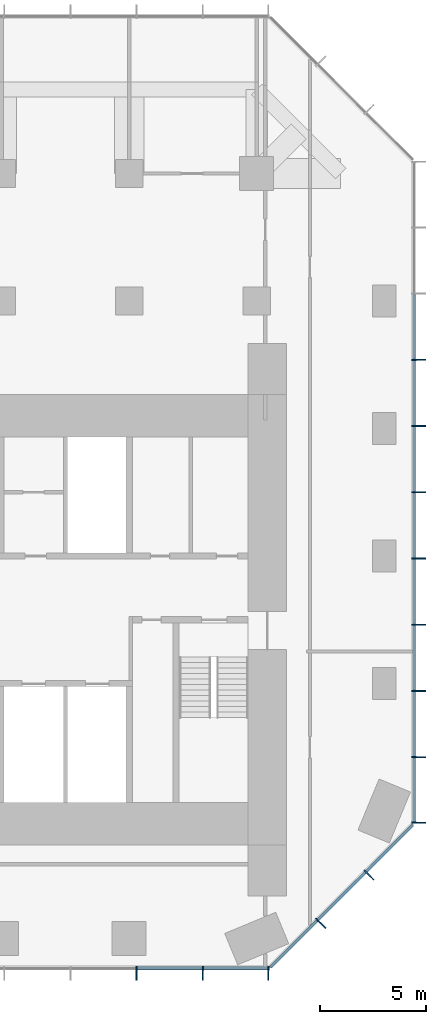
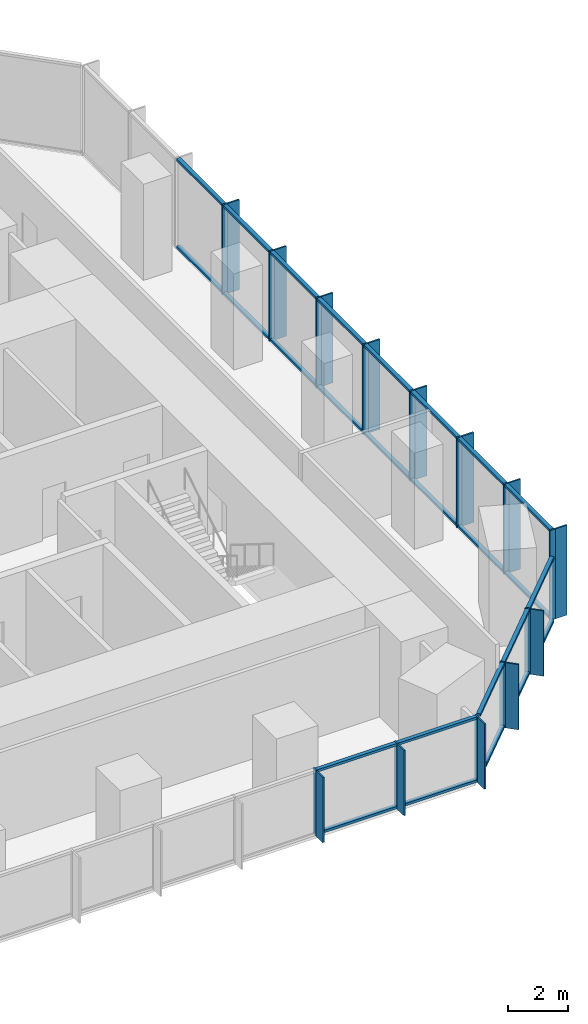
# One storey, part 4 of 11: 52 members, 3 elements without a shape of their own.
"""IFC4 building model written with IfcOpenShell, lengths in metres."""

from ifc_helpers import new_model, si_unit, direction, frame, origin, origin_2d, place, context, subcontext, project, spatial, rectangle, extrude, material, layer, layer_set, material_profile, profile_set, type_object, element, aggregate, save


model = new_model("IFC4")

# Units and contexts
model_context = context("Model", 3, precision=1e-05, world=origin(), true_north=direction((0.0, 1.0)))
body_context = subcontext(model_context, "Body", "Model", "MODEL_VIEW")
ifc_project = project(units=[si_unit("LENGTHUNIT", "METRE"), si_unit("AREAUNIT", "SQUARE_METRE"), si_unit("VOLUMEUNIT", "CUBIC_METRE"), si_unit("PLANEANGLEUNIT", "RADIAN"), si_unit("MASSUNIT", "GRAM", prefix="KILO")], contexts=[model_context])

# Site, building, storey
site_placement = place(None, origin())
site = spatial("IfcSite", under=ifc_project, at=site_placement, CompositionType="ELEMENT")
building_placement = place(site_placement, origin())
building = spatial("IfcBuilding", under=site, at=building_placement, Name="Highveld Stack Headquarters", CompositionType="ELEMENT")
storey_placement = place(building_placement, frame((0.0, 0.0, 208.39990234375)))
storey = spatial("IfcBuildingStorey", under=building, at=storey_placement, Name="L51", CompositionType="ELEMENT", Elevation=208.39990234375)

# Curtain wall, members
ifc_material_1 = material(Name="Aluminium bronze anodised", Category="aluminium")
ifc_layer_1 = layer(ifc_material_1, 0.199951171875)
ifc_layer_set_1 = layer_set([ifc_layer_1], Name="Aluminium bronze anodised")
curtain_wall_type_1 = type_object("IfcCurtainWallType", Name="CW1 TOWER UNITISED CURTAIN WALL", PredefinedType="NOTDEFINED", material=ifc_layer_set_1)
curtain_wall_1_placement = place(storey_placement, origin())
curtain_wall_1 = element("IfcCurtainWall", 1, at=curtain_wall_1_placement, inside=storey, type_object=curtain_wall_type_1, Name="Curtain wall CW1 L51 S", PredefinedType="NOTDEFINED")
ifc_material_2 = material(Name="Aluminium bronze anodised", Category="aluminium")
ifc_material_profile_1 = material_profile(ifc_material_2, rectangle(XDim=0.449951171875, YDim=0.06005859375, at=origin_2d()), Name="FIN 450x60")
ifc_profile_set_1 = profile_set([ifc_material_profile_1], Name="Aluminium bronze anodised")
member_type_1 = type_object("IfcMemberType", Name="CW1 BRONZE FIN 450x60", PredefinedType="USERDEFINED", material=ifc_profile_set_1)
member_1_placement = place(storey_placement, frame((12.347900390625, -13.72509765625, 0.0), z_axis=(0.0, 0.0, 1.0), x_axis=(0.0, 1.0, 0.0)))
member_1 = element("IfcMember", 2, at=member_1_placement, type_object=member_type_1, Name="CW1 fin L51 9", ObjectType="FIN", PredefinedType="USERDEFINED", context=body_context, shape_type="SweptSolid", body=[
    extrude(rectangle(XDim=0.449951171875, YDim=0.06005859375, at=origin_2d()), origin(), (0.0, 0.0, 1.0), 2.650146484375),
])
member_2_placement = place(storey_placement, frame((15.4638671875, -13.72509765625, 0.0), z_axis=(0.0, 0.0, 1.0), x_axis=(0.0, 1.0, 0.0)))
member_2 = element("IfcMember", 3, at=member_2_placement, type_object=member_type_1, Name="CW1 fin L51 10", ObjectType="FIN", PredefinedType="USERDEFINED", context=body_context, shape_type="SweptSolid", body=[
    extrude(rectangle(XDim=0.449951171875, YDim=0.06005859375, at=origin_2d()), origin(), (0.0, 0.0, 1.0), 2.650146484375),
])
member_3_placement = place(storey_placement, frame((18.54736328125, -13.72509765625, 0.0), z_axis=(0.0, 0.0, 1.0), x_axis=(0.0, 1.0, 0.0)))
member_3 = element("IfcMember", 4, at=member_3_placement, type_object=member_type_1, Name="CW1 fin L51 11", ObjectType="FIN", PredefinedType="USERDEFINED", context=body_context, shape_type="SweptSolid", body=[
    extrude(rectangle(XDim=0.449951171875, YDim=0.06005859375, at=origin_2d()), origin(), (0.0, 0.0, 1.0), 2.650146484375),
])

curtain_wall_2_placement = place(storey_placement, origin())
curtain_wall_2 = element("IfcCurtainWall", 5, at=curtain_wall_2_placement, inside=storey, type_object=curtain_wall_type_1, Name="Curtain wall CW1 L51 E", PredefinedType="NOTDEFINED")
member_4_placement = place(storey_placement, frame((25.72509765625, -6.54736328125, 0.0), z_axis=(0.0, 0.0, 1.0), x_axis=(-1.0, 0.0, 0.0)))
member_4 = element("IfcMember", 6, at=member_4_placement, type_object=member_type_1, Name="CW1 fin L51 1", ObjectType="FIN", PredefinedType="USERDEFINED", context=body_context, shape_type="SweptSolid", body=[
    extrude(rectangle(XDim=0.449951171875, YDim=0.06005859375, at=origin_2d()), origin(), (0.0, 0.0, 1.0), 3.650146484375),
])
member_5_placement = place(storey_placement, frame((25.72509765625, -3.4638671875, 0.0), z_axis=(0.0, 0.0, 1.0), x_axis=(-1.0, 0.0, 0.0)))
member_5 = element("IfcMember", 7, at=member_5_placement, type_object=member_type_1, Name="CW1 fin L51 2", ObjectType="FIN", PredefinedType="USERDEFINED", context=body_context, shape_type="SweptSolid", body=[
    extrude(rectangle(XDim=0.449951171875, YDim=0.06005859375, at=origin_2d()), origin(), (0.0, 0.0, 1.0), 3.650146484375),
])
member_6_placement = place(storey_placement, frame((25.72509765625, -0.347900390625, 0.0), z_axis=(0.0, 0.0, 1.0), x_axis=(-1.0, 0.0, 0.0)))
member_6 = element("IfcMember", 8, at=member_6_placement, type_object=member_type_1, Name="CW1 fin L51 3", ObjectType="FIN", PredefinedType="USERDEFINED", context=body_context, shape_type="SweptSolid", body=[
    extrude(rectangle(XDim=0.449951171875, YDim=0.06005859375, at=origin_2d()), origin(), (0.0, 0.0, 1.0), 3.650146484375),
])
member_7_placement = place(storey_placement, frame((25.72509765625, 2.76806640625, 0.0), z_axis=(0.0, 0.0, 1.0), x_axis=(-1.0, 0.0, 0.0)))
member_7 = element("IfcMember", 9, at=member_7_placement, type_object=member_type_1, Name="CW1 fin L51 4", ObjectType="FIN", PredefinedType="USERDEFINED", context=body_context, shape_type="SweptSolid", body=[
    extrude(rectangle(XDim=0.449951171875, YDim=0.06005859375, at=origin_2d()), origin(), (0.0, 0.0, 1.0), 3.650146484375),
])
member_8_placement = place(storey_placement, frame((25.72509765625, 5.884033203125, 0.0), z_axis=(0.0, 0.0, 1.0), x_axis=(-1.0, 0.0, 0.0)))
member_8 = element("IfcMember", 10, at=member_8_placement, type_object=member_type_1, Name="CW1 fin L51 5", ObjectType="FIN", PredefinedType="USERDEFINED", context=body_context, shape_type="SweptSolid", body=[
    extrude(rectangle(XDim=0.449951171875, YDim=0.06005859375, at=origin_2d()), origin(), (0.0, 0.0, 1.0), 3.650146484375),
])
member_9_placement = place(storey_placement, frame((25.72509765625, 9.0, 0.0), z_axis=(0.0, 0.0, 1.0), x_axis=(-1.0, 0.0, 0.0)))
member_9 = element("IfcMember", 11, at=member_9_placement, type_object=member_type_1, Name="CW1 fin L51 6", ObjectType="FIN", PredefinedType="USERDEFINED", context=body_context, shape_type="SweptSolid", body=[
    extrude(rectangle(XDim=0.449951171875, YDim=0.06005859375, at=origin_2d()), origin(), (0.0, 0.0, 1.0), 3.650146484375),
])
member_10_placement = place(storey_placement, frame((25.72509765625, 12.115966796875, 0.0), z_axis=(0.0, 0.0, 1.0), x_axis=(-1.0, 0.0, 0.0)))
member_10 = element("IfcMember", 12, at=member_10_placement, type_object=member_type_1, Name="CW1 fin L51 7", ObjectType="FIN", PredefinedType="USERDEFINED", context=body_context, shape_type="SweptSolid", body=[
    extrude(rectangle(XDim=0.449951171875, YDim=0.06005859375, at=origin_2d()), origin(), (0.0, 0.0, 1.0), 3.650146484375),
])
member_11_placement = place(storey_placement, frame((25.72509765625, 15.23193359375, 0.0), z_axis=(0.0, 0.0, 1.0), x_axis=(-1.0, 0.0, 0.0)))
member_11 = element("IfcMember", 13, at=member_11_placement, type_object=member_type_1, Name="CW1 fin L51 8", ObjectType="FIN", PredefinedType="USERDEFINED", context=body_context, shape_type="SweptSolid", body=[
    extrude(rectangle(XDim=0.449951171875, YDim=0.06005859375, at=origin_2d()), origin(), (0.0, 0.0, 1.0), 3.650146484375),
])

# Member
ifc_material_3 = material(Name="Aluminium bronze anodised", Category="aluminium")
ifc_material_profile_2 = material_profile(ifc_material_3, rectangle(XDim=0.199951171875, YDim=0.06494140625, at=origin_2d()), Name="CW1 MULLION 65x200")
ifc_profile_set_2 = profile_set([ifc_material_profile_2], Name="Aluminium bronze anodised")
member_type_2 = type_object("IfcMemberType", Name="CW1 MULLION 65x200", PredefinedType="MULLION", material=ifc_profile_set_2)
member_12_placement = place(storey_placement, frame((12.347900390625, -13.39990234375, 0.0), z_axis=(0.0, 0.0, 1.0), x_axis=(0.0, 1.0, 0.0)))
member_12 = element("IfcMember", 14, at=member_12_placement, type_object=member_type_2, Name="CW1 mullion L51 9", PredefinedType="MULLION", context=body_context, shape_type="SweptSolid", body=[
    extrude(rectangle(XDim=0.199951171875, YDim=0.06494140625, at=origin_2d()), origin(), (0.0, 0.0, 1.0), 2.650146484375),
])

member_13_placement = place(storey_placement, frame((15.4638671875, -13.39990234375, 0.0), z_axis=(0.0, 0.0, 1.0), x_axis=(0.0, 1.0, 0.0)))
member_13 = element("IfcMember", 15, at=member_13_placement, type_object=member_type_2, Name="CW1 mullion L51 10", PredefinedType="MULLION", context=body_context, shape_type="SweptSolid", body=[
    extrude(rectangle(XDim=0.199951171875, YDim=0.06494140625, at=origin_2d()), origin(), (0.0, 0.0, 1.0), 2.650146484375),
])

member_14_placement = place(storey_placement, frame((18.54736328125, -13.39990234375, 0.0), z_axis=(0.0, 0.0, 1.0), x_axis=(0.0, 1.0, 0.0)))
member_14 = element("IfcMember", 16, at=member_14_placement, type_object=member_type_2, Name="CW1 mullion L51 11", PredefinedType="MULLION", context=body_context, shape_type="SweptSolid", body=[
    extrude(rectangle(XDim=0.199951171875, YDim=0.06494140625, at=origin_2d()), origin(), (0.0, 0.0, 1.0), 2.650146484375),
])

member_15_placement = place(storey_placement, frame((25.39990234375, -6.54736328125, 0.0), z_axis=(0.0, 0.0, 1.0), x_axis=(-1.0, 0.0, 0.0)))
member_15 = element("IfcMember", 17, at=member_15_placement, type_object=member_type_2, Name="CW1 mullion L51 1", PredefinedType="MULLION", context=body_context, shape_type="SweptSolid", body=[
    extrude(rectangle(XDim=0.199951171875, YDim=0.06494140625, at=origin_2d()), origin(), (0.0, 0.0, 1.0), 3.650146484375),
])

member_16_placement = place(storey_placement, frame((25.39990234375, -3.4638671875, 0.0), z_axis=(0.0, 0.0, 1.0), x_axis=(-1.0, 0.0, 0.0)))
member_16 = element("IfcMember", 18, at=member_16_placement, type_object=member_type_2, Name="CW1 mullion L51 2", PredefinedType="MULLION", context=body_context, shape_type="SweptSolid", body=[
    extrude(rectangle(XDim=0.199951171875, YDim=0.06494140625, at=origin_2d()), origin(), (0.0, 0.0, 1.0), 3.650146484375),
])

member_17_placement = place(storey_placement, frame((25.39990234375, -0.347900390625, 0.0), z_axis=(0.0, 0.0, 1.0), x_axis=(-1.0, 0.0, 0.0)))
member_17 = element("IfcMember", 19, at=member_17_placement, type_object=member_type_2, Name="CW1 mullion L51 3", PredefinedType="MULLION", context=body_context, shape_type="SweptSolid", body=[
    extrude(rectangle(XDim=0.199951171875, YDim=0.06494140625, at=origin_2d()), origin(), (0.0, 0.0, 1.0), 3.650146484375),
])

member_18_placement = place(storey_placement, frame((25.39990234375, 2.76806640625, 0.0), z_axis=(0.0, 0.0, 1.0), x_axis=(-1.0, 0.0, 0.0)))
member_18 = element("IfcMember", 20, at=member_18_placement, type_object=member_type_2, Name="CW1 mullion L51 4", PredefinedType="MULLION", context=body_context, shape_type="SweptSolid", body=[
    extrude(rectangle(XDim=0.199951171875, YDim=0.06494140625, at=origin_2d()), origin(), (0.0, 0.0, 1.0), 3.650146484375),
])

member_19_placement = place(storey_placement, frame((25.39990234375, 5.884033203125, 0.0), z_axis=(0.0, 0.0, 1.0), x_axis=(-1.0, 0.0, 0.0)))
member_19 = element("IfcMember", 21, at=member_19_placement, type_object=member_type_2, Name="CW1 mullion L51 5", PredefinedType="MULLION", context=body_context, shape_type="SweptSolid", body=[
    extrude(rectangle(XDim=0.199951171875, YDim=0.06494140625, at=origin_2d()), origin(), (0.0, 0.0, 1.0), 3.650146484375),
])

member_20_placement = place(storey_placement, frame((25.39990234375, 9.0, 0.0), z_axis=(0.0, 0.0, 1.0), x_axis=(-1.0, 0.0, 0.0)))
member_20 = element("IfcMember", 22, at=member_20_placement, type_object=member_type_2, Name="CW1 mullion L51 6", PredefinedType="MULLION", context=body_context, shape_type="SweptSolid", body=[
    extrude(rectangle(XDim=0.199951171875, YDim=0.06494140625, at=origin_2d()), origin(), (0.0, 0.0, 1.0), 3.650146484375),
])

member_21_placement = place(storey_placement, frame((25.39990234375, 12.115966796875, 0.0), z_axis=(0.0, 0.0, 1.0), x_axis=(-1.0, 0.0, 0.0)))
member_21 = element("IfcMember", 23, at=member_21_placement, type_object=member_type_2, Name="CW1 mullion L51 7", PredefinedType="MULLION", context=body_context, shape_type="SweptSolid", body=[
    extrude(rectangle(XDim=0.199951171875, YDim=0.06494140625, at=origin_2d()), origin(), (0.0, 0.0, 1.0), 3.650146484375),
])

member_22_placement = place(storey_placement, frame((25.39990234375, 15.23193359375, 0.0), z_axis=(0.0, 0.0, 1.0), x_axis=(-1.0, 0.0, 0.0)))
member_22 = element("IfcMember", 24, at=member_22_placement, type_object=member_type_2, Name="CW1 mullion L51 8", PredefinedType="MULLION", context=body_context, shape_type="SweptSolid", body=[
    extrude(rectangle(XDim=0.199951171875, YDim=0.06494140625, at=origin_2d()), origin(), (0.0, 0.0, 1.0), 3.650146484375),
])

ifc_material_4 = material(Name="Aluminium bronze anodised", Category="aluminium")
ifc_material_profile_3 = material_profile(ifc_material_4, rectangle(XDim=0.14990234375, YDim=0.10009765625, at=origin_2d()), Name="CW1 TRANSOM 150x100")
ifc_profile_set_3 = profile_set([ifc_material_profile_3], Name="Aluminium bronze anodised")
member_type_3 = type_object("IfcMemberType", Name="CW1 STACK TRANSOM 150x100", PredefinedType="USERDEFINED", material=ifc_profile_set_3)
member_23_placement = place(storey_placement, frame((12.38037109375, -13.39990234375, 0.050048828125), z_axis=(1.0, 0.0, 0.0), x_axis=(0.0, 1.0, 0.0)))
member_23 = element("IfcMember", 25, at=member_23_placement, type_object=member_type_3, Name="CW1 transom L51 9.1", ObjectType="TRANSOM", PredefinedType="USERDEFINED", context=body_context, shape_type="SweptSolid", body=[
    extrude(rectangle(XDim=0.14990234375, YDim=0.10009765625, at=origin_2d()), origin(), (0.0, 0.0, 1.0), 3.051025390625),
])

member_24_placement = place(storey_placement, frame((12.38037109375, -13.39990234375, 2.60009765625), z_axis=(1.0, 0.0, 0.0), x_axis=(0.0, 1.0, 0.0)))
member_24 = element("IfcMember", 26, at=member_24_placement, type_object=member_type_3, Name="CW1 transom L51 9.2", ObjectType="TRANSOM", PredefinedType="USERDEFINED", context=body_context, shape_type="SweptSolid", body=[
    extrude(rectangle(XDim=0.14990234375, YDim=0.10009765625, at=origin_2d()), origin(), (0.0, 0.0, 1.0), 3.051025390625),
])

member_25_placement = place(storey_placement, frame((15.496337890625, -13.39990234375, 0.050048828125), z_axis=(1.0, 0.0, 0.0), x_axis=(0.0, 1.0, 0.0)))
member_25 = element("IfcMember", 27, at=member_25_placement, type_object=member_type_3, Name="CW1 transom L51 10.1", ObjectType="TRANSOM", PredefinedType="USERDEFINED", context=body_context, shape_type="SweptSolid", body=[
    extrude(rectangle(XDim=0.14990234375, YDim=0.10009765625, at=origin_2d()), origin(), (0.0, 0.0, 1.0), 3.0185546875),
])

member_26_placement = place(storey_placement, frame((15.496337890625, -13.39990234375, 2.60009765625), z_axis=(1.0, 0.0, 0.0), x_axis=(0.0, 1.0, 0.0)))
member_26 = element("IfcMember", 28, at=member_26_placement, type_object=member_type_3, Name="CW1 transom L51 10.2", ObjectType="TRANSOM", PredefinedType="USERDEFINED", context=body_context, shape_type="SweptSolid", body=[
    extrude(rectangle(XDim=0.14990234375, YDim=0.10009765625, at=origin_2d()), origin(), (0.0, 0.0, 1.0), 3.0185546875),
])

aggregate(curtain_wall_1, [member_12, member_1, member_13, member_2, member_14, member_3, member_23, member_24, member_25, member_26])

member_27_placement = place(storey_placement, frame((25.39990234375, -6.514892578125, 0.050048828125), z_axis=(0.0, 1.0, 0.0), x_axis=(-1.0, 0.0, 0.0)))
member_27 = element("IfcMember", 29, at=member_27_placement, type_object=member_type_3, Name="CW1 transom L51 1.1", ObjectType="TRANSOM", PredefinedType="USERDEFINED", context=body_context, shape_type="SweptSolid", body=[
    extrude(rectangle(XDim=0.14990234375, YDim=0.10009765625, at=origin_2d()), origin(), (0.0, 0.0, 1.0), 3.0185546875),
])

member_28_placement = place(storey_placement, frame((25.39990234375, -6.514892578125, 3.60009765625), z_axis=(0.0, 1.0, 0.0), x_axis=(-1.0, 0.0, 0.0)))
member_28 = element("IfcMember", 30, at=member_28_placement, type_object=member_type_3, Name="CW1 transom L51 1.2", ObjectType="TRANSOM", PredefinedType="USERDEFINED", context=body_context, shape_type="SweptSolid", body=[
    extrude(rectangle(XDim=0.14990234375, YDim=0.10009765625, at=origin_2d()), origin(), (0.0, 0.0, 1.0), 3.0185546875),
])

member_29_placement = place(storey_placement, frame((25.39990234375, -3.431396484375, 0.050048828125), z_axis=(0.0, 1.0, 0.0), x_axis=(-1.0, 0.0, 0.0)))
member_29 = element("IfcMember", 31, at=member_29_placement, type_object=member_type_3, Name="CW1 transom L51 2.1", ObjectType="TRANSOM", PredefinedType="USERDEFINED", context=body_context, shape_type="SweptSolid", body=[
    extrude(rectangle(XDim=0.14990234375, YDim=0.10009765625, at=origin_2d()), origin(), (0.0, 0.0, 1.0), 3.051025390625),
])

member_30_placement = place(storey_placement, frame((25.39990234375, -3.431396484375, 3.60009765625), z_axis=(0.0, 1.0, 0.0), x_axis=(-1.0, 0.0, 0.0)))
member_30 = element("IfcMember", 32, at=member_30_placement, type_object=member_type_3, Name="CW1 transom L51 2.2", ObjectType="TRANSOM", PredefinedType="USERDEFINED", context=body_context, shape_type="SweptSolid", body=[
    extrude(rectangle(XDim=0.14990234375, YDim=0.10009765625, at=origin_2d()), origin(), (0.0, 0.0, 1.0), 3.051025390625),
])

member_31_placement = place(storey_placement, frame((25.39990234375, -0.3154296875, 0.050048828125), z_axis=(0.0, 1.0, 0.0), x_axis=(-1.0, 0.0, 0.0)))
member_31 = element("IfcMember", 33, at=member_31_placement, type_object=member_type_3, Name="CW1 transom L51 3.1", ObjectType="TRANSOM", PredefinedType="USERDEFINED", context=body_context, shape_type="SweptSolid", body=[
    extrude(rectangle(XDim=0.14990234375, YDim=0.10009765625, at=origin_2d()), origin(), (0.0, 0.0, 1.0), 3.051025390625),
])

member_32_placement = place(storey_placement, frame((25.39990234375, -0.3154296875, 3.60009765625), z_axis=(0.0, 1.0, 0.0), x_axis=(-1.0, 0.0, 0.0)))
member_32 = element("IfcMember", 34, at=member_32_placement, type_object=member_type_3, Name="CW1 transom L51 3.2", ObjectType="TRANSOM", PredefinedType="USERDEFINED", context=body_context, shape_type="SweptSolid", body=[
    extrude(rectangle(XDim=0.14990234375, YDim=0.10009765625, at=origin_2d()), origin(), (0.0, 0.0, 1.0), 3.051025390625),
])

member_33_placement = place(storey_placement, frame((25.39990234375, 2.800537109375, 0.050048828125), z_axis=(0.0, 1.0, 0.0), x_axis=(-1.0, 0.0, 0.0)))
member_33 = element("IfcMember", 35, at=member_33_placement, type_object=member_type_3, Name="CW1 transom L51 4.1", ObjectType="TRANSOM", PredefinedType="USERDEFINED", context=body_context, shape_type="SweptSolid", body=[
    extrude(rectangle(XDim=0.14990234375, YDim=0.10009765625, at=origin_2d()), origin(), (0.0, 0.0, 1.0), 3.051025390625),
])

member_34_placement = place(storey_placement, frame((25.39990234375, 2.800537109375, 3.60009765625), z_axis=(0.0, 1.0, 0.0), x_axis=(-1.0, 0.0, 0.0)))
member_34 = element("IfcMember", 36, at=member_34_placement, type_object=member_type_3, Name="CW1 transom L51 4.2", ObjectType="TRANSOM", PredefinedType="USERDEFINED", context=body_context, shape_type="SweptSolid", body=[
    extrude(rectangle(XDim=0.14990234375, YDim=0.10009765625, at=origin_2d()), origin(), (0.0, 0.0, 1.0), 3.051025390625),
])

member_35_placement = place(storey_placement, frame((25.39990234375, 5.91650390625, 0.050048828125), z_axis=(0.0, 1.0, 0.0), x_axis=(-1.0, 0.0, 0.0)))
member_35 = element("IfcMember", 37, at=member_35_placement, type_object=member_type_3, Name="CW1 transom L51 5.1", ObjectType="TRANSOM", PredefinedType="USERDEFINED", context=body_context, shape_type="SweptSolid", body=[
    extrude(rectangle(XDim=0.14990234375, YDim=0.10009765625, at=origin_2d()), origin(), (0.0, 0.0, 1.0), 3.051025390625),
])

member_36_placement = place(storey_placement, frame((25.39990234375, 5.91650390625, 3.60009765625), z_axis=(0.0, 1.0, 0.0), x_axis=(-1.0, 0.0, 0.0)))
member_36 = element("IfcMember", 38, at=member_36_placement, type_object=member_type_3, Name="CW1 transom L51 5.2", ObjectType="TRANSOM", PredefinedType="USERDEFINED", context=body_context, shape_type="SweptSolid", body=[
    extrude(rectangle(XDim=0.14990234375, YDim=0.10009765625, at=origin_2d()), origin(), (0.0, 0.0, 1.0), 3.051025390625),
])

member_37_placement = place(storey_placement, frame((25.39990234375, 9.032470703125, 0.050048828125), z_axis=(0.0, 1.0, 0.0), x_axis=(-1.0, 0.0, 0.0)))
member_37 = element("IfcMember", 39, at=member_37_placement, type_object=member_type_3, Name="CW1 transom L51 6.1", ObjectType="TRANSOM", PredefinedType="USERDEFINED", context=body_context, shape_type="SweptSolid", body=[
    extrude(rectangle(XDim=0.14990234375, YDim=0.10009765625, at=origin_2d()), origin(), (0.0, 0.0, 1.0), 3.051025390625),
])

member_38_placement = place(storey_placement, frame((25.39990234375, 9.032470703125, 3.60009765625), z_axis=(0.0, 1.0, 0.0), x_axis=(-1.0, 0.0, 0.0)))
member_38 = element("IfcMember", 40, at=member_38_placement, type_object=member_type_3, Name="CW1 transom L51 6.2", ObjectType="TRANSOM", PredefinedType="USERDEFINED", context=body_context, shape_type="SweptSolid", body=[
    extrude(rectangle(XDim=0.14990234375, YDim=0.10009765625, at=origin_2d()), origin(), (0.0, 0.0, 1.0), 3.051025390625),
])

member_39_placement = place(storey_placement, frame((25.39990234375, 12.1484375, 0.050048828125), z_axis=(0.0, 1.0, 0.0), x_axis=(-1.0, 0.0, 0.0)))
member_39 = element("IfcMember", 41, at=member_39_placement, type_object=member_type_3, Name="CW1 transom L51 7.1", ObjectType="TRANSOM", PredefinedType="USERDEFINED", context=body_context, shape_type="SweptSolid", body=[
    extrude(rectangle(XDim=0.14990234375, YDim=0.10009765625, at=origin_2d()), origin(), (0.0, 0.0, 1.0), 3.051025390625),
])

member_40_placement = place(storey_placement, frame((25.39990234375, 12.1484375, 3.60009765625), z_axis=(0.0, 1.0, 0.0), x_axis=(-1.0, 0.0, 0.0)))
member_40 = element("IfcMember", 42, at=member_40_placement, type_object=member_type_3, Name="CW1 transom L51 7.2", ObjectType="TRANSOM", PredefinedType="USERDEFINED", context=body_context, shape_type="SweptSolid", body=[
    extrude(rectangle(XDim=0.14990234375, YDim=0.10009765625, at=origin_2d()), origin(), (0.0, 0.0, 1.0), 3.051025390625),
])

member_41_placement = place(storey_placement, frame((25.39990234375, 15.264404296875, 0.050048828125), z_axis=(0.0, 1.0, 0.0), x_axis=(-1.0, 0.0, 0.0)))
member_41 = element("IfcMember", 43, at=member_41_placement, type_object=member_type_3, Name="CW1 transom L51 8.1", ObjectType="TRANSOM", PredefinedType="USERDEFINED", context=body_context, shape_type="SweptSolid", body=[
    extrude(rectangle(XDim=0.14990234375, YDim=0.10009765625, at=origin_2d()), origin(), (0.0, 0.0, 1.0), 3.051025390625),
])

member_42_placement = place(storey_placement, frame((25.39990234375, 15.264404296875, 3.60009765625), z_axis=(0.0, 1.0, 0.0), x_axis=(-1.0, 0.0, 0.0)))
member_42 = element("IfcMember", 44, at=member_42_placement, type_object=member_type_3, Name="CW1 transom L51 8.2", ObjectType="TRANSOM", PredefinedType="USERDEFINED", context=body_context, shape_type="SweptSolid", body=[
    extrude(rectangle(XDim=0.14990234375, YDim=0.10009765625, at=origin_2d()), origin(), (0.0, 0.0, 1.0), 3.051025390625),
])

aggregate(curtain_wall_2, [member_15, member_4, member_16, member_5, member_17, member_6, member_18, member_7, member_19, member_8, member_20, member_9, member_21, member_10, member_22, member_11, member_27, member_28, member_29, member_30, member_31, member_32, member_33, member_34, member_35, member_36, member_37, member_38, member_39, member_40, member_41, member_42])

# Curtain wall, members
ifc_material_5 = material(Name="Aluminium bronze anodised", Category="aluminium")
ifc_layer_2 = layer(ifc_material_5, 0.199951171875)
ifc_layer_set_2 = layer_set([ifc_layer_2], Name="Aluminium bronze anodised")
curtain_wall_type_2 = type_object("IfcCurtainWallType", Name="CW2 TOWER CHAMFER UNITISED CURTAIN WALL", PredefinedType="NOTDEFINED", material=ifc_layer_set_2)
curtain_wall_3_placement = place(storey_placement, origin())
curtain_wall_3 = element("IfcCurtainWall", 45, at=curtain_wall_3_placement, inside=storey, type_object=curtain_wall_type_2, Name="Curtain wall CW2 L51 SE", PredefinedType="NOTDEFINED")
ifc_material_6 = material(Name="Aluminium bronze anodised", Category="aluminium")
ifc_material_profile_4 = material_profile(ifc_material_6, rectangle(XDim=0.449951171875, YDim=0.06005859375, at=origin_2d()), Name="FIN 450x60")
ifc_profile_set_4 = profile_set([ifc_material_profile_4], Name="Aluminium bronze anodised")
member_type_4 = type_object("IfcMemberType", Name="CW2 BRONZE FIN 450x60", PredefinedType="USERDEFINED", material=ifc_profile_set_4)
member_43_placement = place(storey_placement, frame((21.0830078125, -11.3564453125, 0.0), z_axis=(0.0, 0.0, 1.0), x_axis=(-0.707106781187, 0.707106781187, 0.0)))
member_43 = element("IfcMember", 46, at=member_43_placement, type_object=member_type_4, Name="CW2 fin L51 1", ObjectType="FIN", PredefinedType="USERDEFINED", context=body_context, shape_type="SweptSolid", body=[
    extrude(rectangle(XDim=0.449951171875, YDim=0.06005859375, at=origin_2d()), origin(), (0.0, 0.0, 1.0), 2.650146484375),
])
member_44_placement = place(storey_placement, frame((23.3564453125, -9.0830078125, 0.0), z_axis=(0.0, 0.0, 1.0), x_axis=(-0.707106781187, 0.707106781187, 0.0)))
member_44 = element("IfcMember", 47, at=member_44_placement, type_object=member_type_4, Name="CW2 fin L51 2", ObjectType="FIN", PredefinedType="USERDEFINED", context=body_context, shape_type="SweptSolid", body=[
    extrude(rectangle(XDim=0.449951171875, YDim=0.06005859375, at=origin_2d()), origin(), (0.0, 0.0, 1.0), 2.650146484375),
])
ifc_material_7 = material(Name="Aluminium bronze anodised", Category="aluminium")
ifc_material_profile_5 = material_profile(ifc_material_7, rectangle(XDim=0.199951171875, YDim=0.06494140625, at=origin_2d()), Name="CW2 MULLION 65x200")
ifc_profile_set_5 = profile_set([ifc_material_profile_5], Name="Aluminium bronze anodised")
member_type_5 = type_object("IfcMemberType", Name="CW2 MULLION 65x200", PredefinedType="MULLION", material=ifc_profile_set_5)
member_45_placement = place(storey_placement, frame((20.853271484375, -11.126708984375, 0.0), z_axis=(0.0, 0.0, 1.0), x_axis=(-0.707106781187, 0.707106781187, 0.0)))
member_45 = element("IfcMember", 48, at=member_45_placement, type_object=member_type_5, Name="CW2 mullion L51 1", PredefinedType="MULLION", context=body_context, shape_type="SweptSolid", body=[
    extrude(rectangle(XDim=0.199951171875, YDim=0.06494140625, at=origin_2d()), origin(), (0.0, 0.0, 1.0), 2.650146484375),
])
member_46_placement = place(storey_placement, frame((23.126708984375, -8.853271484375, 0.0), z_axis=(0.0, 0.0, 1.0), x_axis=(-0.707106781187, 0.707106781187, 0.0)))
member_46 = element("IfcMember", 49, at=member_46_placement, type_object=member_type_5, Name="CW2 mullion L51 2", PredefinedType="MULLION", context=body_context, shape_type="SweptSolid", body=[
    extrude(rectangle(XDim=0.199951171875, YDim=0.06494140625, at=origin_2d()), origin(), (0.0, 0.0, 1.0), 2.650146484375),
])
ifc_material_8 = material(Name="Aluminium bronze anodised", Category="aluminium")
ifc_material_profile_6 = material_profile(ifc_material_8, rectangle(XDim=0.14990234375, YDim=0.10009765625, at=origin_2d()), Name="CW2 TRANSOM 150x100")
ifc_profile_set_6 = profile_set([ifc_material_profile_6], Name="Aluminium bronze anodised")
member_type_6 = type_object("IfcMemberType", Name="CW2 STACK TRANSOM 150x100", PredefinedType="USERDEFINED", material=ifc_profile_set_6)
member_47_placement = place(storey_placement, frame((18.650634765625, -13.329345703125, 0.050048828125), z_axis=(0.707106781187, 0.707106781187, 0.0), x_axis=(-0.707106781187, 0.707106781187, 0.0)))
member_47 = element("IfcMember", 50, at=member_47_placement, type_object=member_type_6, Name="CW2 transom L51 1.1", ObjectType="TRANSOM", PredefinedType="USERDEFINED", context=body_context, shape_type="SweptSolid", body=[
    extrude(rectangle(XDim=0.14990234375, YDim=0.10009765625, at=origin_2d()), origin(), (0.0, 0.0, 1.0), 3.08251953125),
])
member_48_placement = place(storey_placement, frame((18.650634765625, -13.329345703125, 2.60009765625), z_axis=(0.707106781187, 0.707106781187, 0.0), x_axis=(-0.707106781187, 0.707106781187, 0.0)))
member_48 = element("IfcMember", 51, at=member_48_placement, type_object=member_type_6, Name="CW2 transom L51 1.2", ObjectType="TRANSOM", PredefinedType="USERDEFINED", context=body_context, shape_type="SweptSolid", body=[
    extrude(rectangle(XDim=0.14990234375, YDim=0.10009765625, at=origin_2d()), origin(), (0.0, 0.0, 1.0), 3.08251953125),
])
member_49_placement = place(storey_placement, frame((20.876220703125, -11.103759765625, 0.050048828125), z_axis=(0.707106781187, 0.707106781187, 0.0), x_axis=(-0.707106781187, 0.707106781187, 0.0)))
member_49 = element("IfcMember", 52, at=member_49_placement, type_object=member_type_6, Name="CW2 transom L51 2.1", ObjectType="TRANSOM", PredefinedType="USERDEFINED", context=body_context, shape_type="SweptSolid", body=[
    extrude(rectangle(XDim=0.14990234375, YDim=0.10009765625, at=origin_2d()), origin(), (0.0, 0.0, 1.0), 3.150146484375),
])
member_50_placement = place(storey_placement, frame((20.876220703125, -11.103759765625, 2.60009765625), z_axis=(0.707106781187, 0.707106781187, 0.0), x_axis=(-0.707106781187, 0.707106781187, 0.0)))
member_50 = element("IfcMember", 53, at=member_50_placement, type_object=member_type_6, Name="CW2 transom L51 2.2", ObjectType="TRANSOM", PredefinedType="USERDEFINED", context=body_context, shape_type="SweptSolid", body=[
    extrude(rectangle(XDim=0.14990234375, YDim=0.10009765625, at=origin_2d()), origin(), (0.0, 0.0, 1.0), 3.150146484375),
])
member_51_placement = place(storey_placement, frame((23.149658203125, -8.830322265625, 0.050048828125), z_axis=(0.707106781187, 0.707106781187, 0.0), x_axis=(-0.707106781187, 0.707106781187, 0.0)))
member_51 = element("IfcMember", 54, at=member_51_placement, type_object=member_type_6, Name="CW2 transom L51 3.1", ObjectType="TRANSOM", PredefinedType="USERDEFINED", context=body_context, shape_type="SweptSolid", body=[
    extrude(rectangle(XDim=0.14990234375, YDim=0.10009765625, at=origin_2d()), origin(), (0.0, 0.0, 1.0), 3.08251953125),
])
member_52_placement = place(storey_placement, frame((23.149658203125, -8.830322265625, 2.60009765625), z_axis=(0.707106781187, 0.707106781187, 0.0), x_axis=(-0.707106781187, 0.707106781187, 0.0)))
member_52 = element("IfcMember", 55, at=member_52_placement, type_object=member_type_6, Name="CW2 transom L51 3.2", ObjectType="TRANSOM", PredefinedType="USERDEFINED", context=body_context, shape_type="SweptSolid", body=[
    extrude(rectangle(XDim=0.14990234375, YDim=0.10009765625, at=origin_2d()), origin(), (0.0, 0.0, 1.0), 3.08251953125),
])
aggregate(curtain_wall_3, [member_45, member_43, member_46, member_44, member_47, member_48, member_49, member_50, member_51, member_52])

save(model, "model.ifc")
